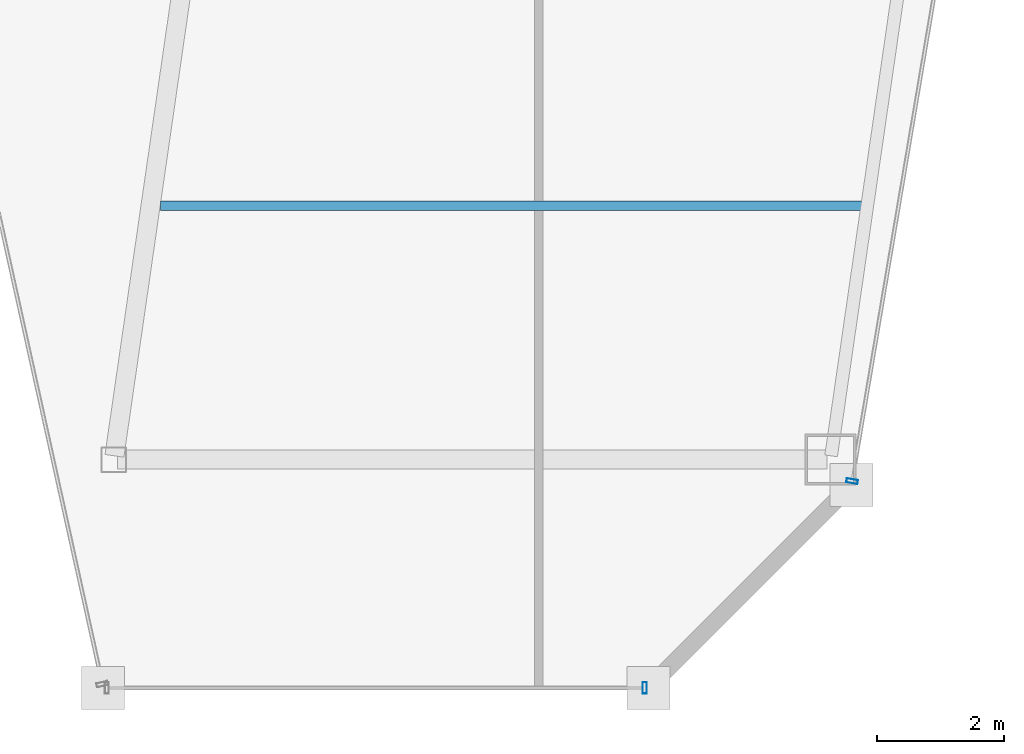
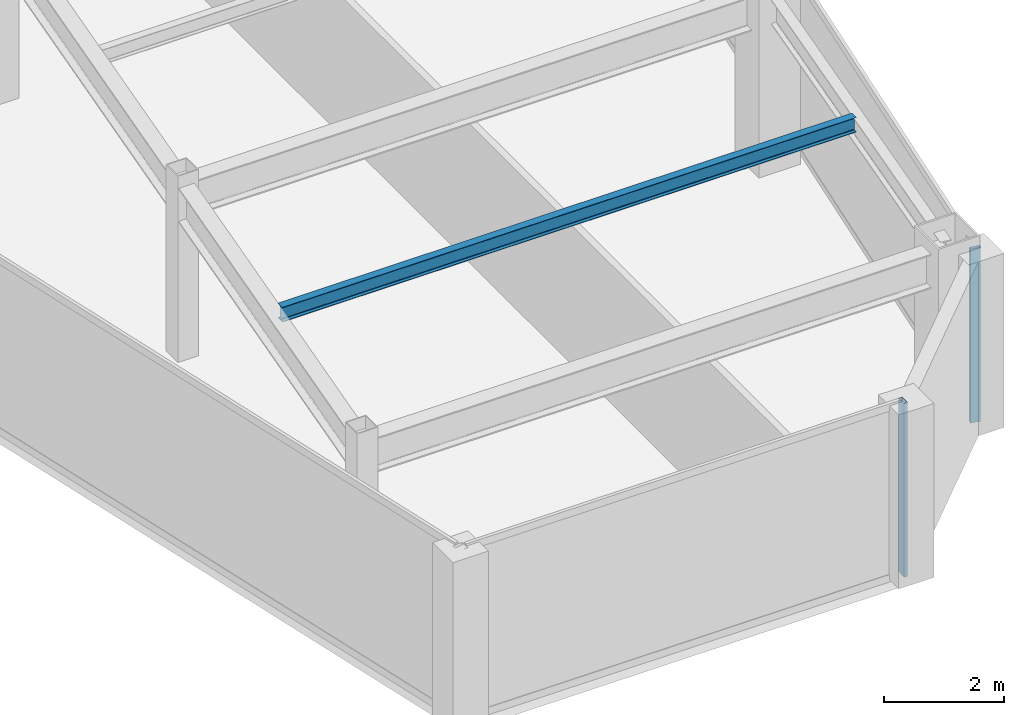
# One storey, part 18 of 36: 2 members, 1 beam, 2 elements without a shape of their own.
"""IFC4 building model written with IfcOpenShell, lengths in metres."""

from ifc_helpers import new_model, si_unit, direction, frame, origin, origin_2d, place, context, subcontext, project, spatial, hollow_rectangle, i_section, extrude, material, material_profile, profile_set, type_object, element, aggregate, save


model = new_model("IFC4")

# Units and contexts
model_context = context("Model", 3, precision=1e-05, world=origin(), true_north=direction((0.0, 1.0)))
body_context = subcontext(model_context, "Body", "Model", "MODEL_VIEW")
ifc_project = project(units=[si_unit("LENGTHUNIT", "METRE"), si_unit("AREAUNIT", "SQUARE_METRE"), si_unit("VOLUMEUNIT", "CUBIC_METRE"), si_unit("PLANEANGLEUNIT", "RADIAN"), si_unit("MASSUNIT", "GRAM", prefix="KILO")], contexts=[model_context])

# Site, building, storey
site_placement = place(None, origin())
site = spatial("IfcSite", under=ifc_project, at=site_placement, CompositionType="ELEMENT")
building_placement = place(site_placement, origin())
building = spatial("IfcBuilding", under=site, at=building_placement, Name="Saevonmaru Cultural Tower", CompositionType="ELEMENT")
storey_placement = place(building_placement, frame((0.0, 0.0, 198.0)))
storey = spatial("IfcBuildingStorey", under=building, at=storey_placement, Name="L45", CompositionType="ELEMENT", Elevation=198.0)

# Beam
ifc_material_1 = material(Name="Steel SM355", Category="steel")
ifc_material_profile_1 = material_profile(ifc_material_1, i_section(OverallWidth=0.14990234375, OverallDepth=0.300048828125, WebThickness=0.006591796875, FlangeThickness=0.009033203125, FilletRadius=0.012939453125, at=origin_2d()), Name="H-300x150x6.5x9")
ifc_profile_set_1 = profile_set([ifc_material_profile_1], Name="Steel SM355")
beam_type = type_object("IfcBeamType", Name="BM-J-H300", PredefinedType="JOIST", material=ifc_profile_set_1)
beam_placement = place(storey_placement, frame((38.80810546875, 20.0, 3.39990234375), z_axis=(1.0, 0.0, 0.0), x_axis=(0.0, 1.0, 0.0)))
element("IfcBeam", 1, at=beam_placement, inside=storey, type_object=beam_type, Name="L45 East Wing Floor Joist 1", PredefinedType="JOIST", context=body_context, shape_type="SweptSolid", body=[
    extrude(i_section(OverallWidth=0.14990234375, OverallDepth=0.300048828125, WebThickness=0.006591796875, FlangeThickness=0.009033203125, FilletRadius=0.012939453125, at=origin_2d()), origin(), (0.0, 0.0, 1.0), 11.081787109375),
])

# Curtain wall, member
ifc_material_2 = material(Name="Satin Bronze Anodised Aluminium", Category="aluminium")
curtain_wall_type = type_object("IfcCurtainWallType", Name="CW-TYP-B", PredefinedType="NOTDEFINED", material=ifc_material_2)
curtain_wall_1_placement = place(storey_placement, origin())
curtain_wall_1 = element("IfcCurtainWall", 2, at=curtain_wall_1_placement, inside=storey, type_object=curtain_wall_type, Name="L45 Unitised Curtain Wall E6", PredefinedType="NOTDEFINED")
ifc_material_profile_2 = material_profile(ifc_material_2, hollow_rectangle(XDim=0.06494140625, YDim=0.179931640625, WallThickness=0.00390625, at=origin_2d()), Name="ALU-MULL-180x65x4")
ifc_profile_set_2 = profile_set([ifc_material_profile_2], Name="Satin Bronze Anodised Aluminium")
member_type = type_object("IfcMemberType", Name="ML-CW-180x65", PredefinedType="MULLION", material=ifc_profile_set_2)
member_1_placement = place(storey_placement, frame((46.442138671875, 12.39990234375, 0.0), z_axis=(0.0, 0.0, 1.0), x_axis=(1.0, 0.0, 0.0)))
member_1 = element("IfcMember", 3, at=member_1_placement, type_object=member_type, Name="CW-TW-L45-E6 mullion 2", PredefinedType="MULLION", context=body_context, shape_type="SweptSolid", body=[
    extrude(hollow_rectangle(XDim=0.06494140625, YDim=0.179931640625, WallThickness=0.00390625, at=origin_2d()), origin(), (0.0, 0.0, 1.0), 3.550048828125),
])
aggregate(curtain_wall_1, [member_1])

curtain_wall_2_placement = place(storey_placement, origin())
curtain_wall_2 = element("IfcCurtainWall", 4, at=curtain_wall_2_placement, inside=storey, type_object=curtain_wall_type, Name="L45 Unitised Curtain Wall E8", PredefinedType="NOTDEFINED")
member_2_placement = place(storey_placement, frame((49.712158203125, 15.6591796875, 0.0), z_axis=(0.0, 0.0, 1.0), x_axis=(0.16692169721, 0.985970155228, 0.0)))
member_2 = element("IfcMember", 5, at=member_2_placement, type_object=member_type, Name="CW-TW-L45-E8 mullion 1", PredefinedType="MULLION", context=body_context, shape_type="SweptSolid", body=[
    extrude(hollow_rectangle(XDim=0.06494140625, YDim=0.179931640625, WallThickness=0.00390625, at=origin_2d()), origin(), (0.0, 0.0, 1.0), 3.550048828125),
])
aggregate(curtain_wall_2, [member_2])

save(model, "model.ifc")
